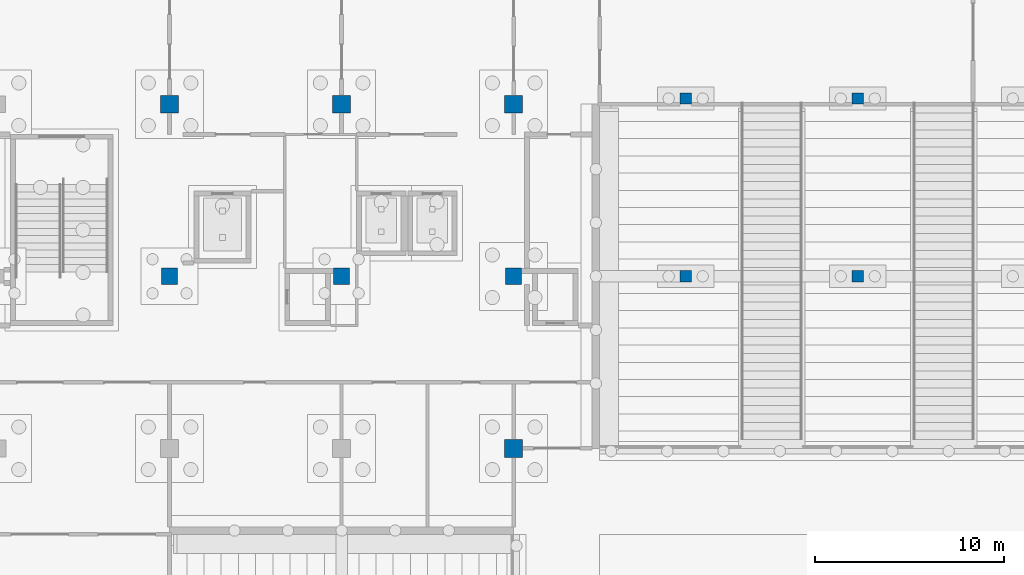
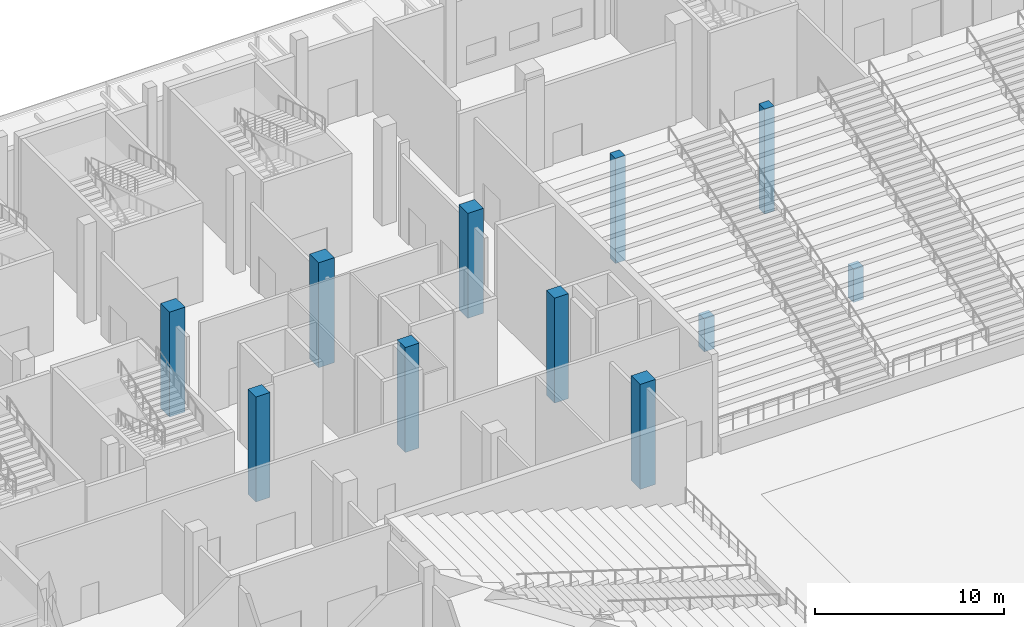
# One storey, part 25 of 129: 11 columns.
"""IFC4 building model written with IfcOpenShell, lengths in metres."""

from ifc_helpers import new_model, si_unit, direction, frame, origin, origin_2d, place, context, subcontext, project, spatial, rectangle, extrude, material, material_profile, profile_set, type_object, element, save


model = new_model("IFC4")

# Units and contexts
model_context = context("Model", 3, precision=1e-05, world=origin(), true_north=direction((0.0, 1.0)))
body_context = subcontext(model_context, "Body", "Model", "MODEL_VIEW")
ifc_project = project(units=[si_unit("LENGTHUNIT", "METRE"), si_unit("AREAUNIT", "SQUARE_METRE"), si_unit("VOLUMEUNIT", "CUBIC_METRE"), si_unit("PLANEANGLEUNIT", "RADIAN"), si_unit("MASSUNIT", "GRAM", prefix="KILO")], contexts=[model_context])

# Site, building, storey
site_placement = place(None, origin())
site = spatial("IfcSite", under=ifc_project, at=site_placement, CompositionType="ELEMENT")
building_placement = place(site_placement, origin())
building = spatial("IfcBuilding", under=site, at=building_placement, Name="Shirokan Park Arena", CompositionType="ELEMENT")
storey_placement = place(building_placement, origin())
storey = spatial("IfcBuildingStorey", under=building, at=storey_placement, Name="L00", CompositionType="ELEMENT", Elevation=0.0)

# Columns
ifc_material = material(Name="Concrete C35", Category="concrete")
ifc_material_profile_1 = material_profile(ifc_material, rectangle(XDim=0.60009765625, YDim=0.60009765625, at=origin_2d()), Name="600x600")
ifc_profile_set_1 = profile_set([ifc_material_profile_1], Name="Concrete C35")
column_type_1 = type_object("IfcColumnType", Name="RC column 600x600", PredefinedType="COLUMN", material=ifc_profile_set_1)
column_1_placement = place(storey_placement, frame((45.5, 81.89990234375, -0.39990234375), z_axis=(0.0, 0.0, 1.0), x_axis=(1.0, 0.0, 0.0)))
element("IfcColumn", 1, at=column_1_placement, inside=storey, type_object=column_type_1, Name="Column 6K L00", PredefinedType="COLUMN", context=body_context, shape_type="SweptSolid", body=[
    extrude(rectangle(XDim=0.60009765625, YDim=0.60009765625, at=origin_2d()), origin(), (0.0, 0.0, 1.0), 2.1328125),
])
column_2_placement = place(storey_placement, frame((45.5, 91.300048828125, -0.39990234375), z_axis=(0.0, 0.0, 1.0), x_axis=(1.0, 0.0, 0.0)))
element("IfcColumn", 2, at=column_2_placement, inside=storey, type_object=column_type_1, Name="Column 6L L00", PredefinedType="COLUMN", context=body_context, shape_type="SweptSolid", body=[
    extrude(rectangle(XDim=0.60009765625, YDim=0.60009765625, at=origin_2d()), origin(), (0.0, 0.0, 1.0), 6.77001953125),
])
column_3_placement = place(storey_placement, frame((54.60009765625, 81.89990234375, -0.39990234375), z_axis=(0.0, 0.0, 1.0), x_axis=(1.0, 0.0, 0.0)))
element("IfcColumn", 3, at=column_3_placement, inside=storey, type_object=column_type_1, Name="Column 7K L00", PredefinedType="COLUMN", context=body_context, shape_type="SweptSolid", body=[
    extrude(rectangle(XDim=0.60009765625, YDim=0.60009765625, at=origin_2d()), origin(), (0.0, 0.0, 1.0), 2.1328125),
])
column_4_placement = place(storey_placement, frame((54.60009765625, 91.300048828125, -0.39990234375), z_axis=(0.0, 0.0, 1.0), x_axis=(1.0, 0.0, 0.0)))
element("IfcColumn", 4, at=column_4_placement, inside=storey, type_object=column_type_1, Name="Column 7L L00", PredefinedType="COLUMN", context=body_context, shape_type="SweptSolid", body=[
    extrude(rectangle(XDim=0.60009765625, YDim=0.60009765625, at=origin_2d()), origin(), (0.0, 0.0, 1.0), 6.77001953125),
])
ifc_material_profile_2 = material_profile(ifc_material, rectangle(XDim=0.85009765625, YDim=0.85009765625, at=origin_2d()), Name="850x850")
ifc_profile_set_2 = profile_set([ifc_material_profile_2], Name="Concrete C35")
column_type_2 = type_object("IfcColumnType", Name="RC column 850x850", PredefinedType="COLUMN", material=ifc_profile_set_2)
for number, where, z_axis, x_axis, name in (
    (5, (18.199951171875, 81.89990234375, -0.39990234375), (0.0, 0.0, 1.0), (1.0, 0.0, 0.0), "Column 3K L00"),
    (6, (27.300048828125, 81.89990234375, -0.39990234375), (0.0, 0.0, 1.0), (1.0, 0.0, 0.0), "Column 4K L00"),
    (7, (36.39990234375, 81.89990234375, -0.39990234375), (0.0, 0.0, 1.0), (1.0, 0.0, 0.0), "Column 5K L00"),
):
    element("IfcColumn", number, at=place(storey_placement, frame(where, z_axis=z_axis, x_axis=x_axis)), inside=storey, type_object=column_type_2, Name=name, PredefinedType="COLUMN", context=body_context, shape_type="SweptSolid", body=[
        extrude(rectangle(XDim=0.85009765625, YDim=0.85009765625, at=origin_2d()), origin(), (0.0, 0.0, 1.0), 6.77001953125),
    ])
ifc_material_profile_3 = material_profile(ifc_material, rectangle(XDim=0.949951171875, YDim=0.949951171875, at=origin_2d()), Name="950x950")
ifc_profile_set_3 = profile_set([ifc_material_profile_3], Name="Concrete C35")
column_type_3 = type_object("IfcColumnType", Name="RC column 950x950", PredefinedType="COLUMN", material=ifc_profile_set_3)
for number, where, z_axis, x_axis, name in (
    (8, (18.199951171875, 91.0, -0.39990234375), (0.0, 0.0, 1.0), (1.0, 0.0, 0.0), "Column 3L L00"),
    (9, (27.300048828125, 91.0, -0.39990234375), (0.0, 0.0, 1.0), (1.0, 0.0, 0.0), "Column 4L L00"),
    (10, (36.39990234375, 72.800048828125, -0.39990234375), (0.0, 0.0, 1.0), (1.0, 0.0, 0.0), "Column 5J L00"),
    (11, (36.39990234375, 91.0, -0.39990234375), (0.0, 0.0, 1.0), (1.0, 0.0, 0.0), "Column 5L L00"),
):
    element("IfcColumn", number, at=place(storey_placement, frame(where, z_axis=z_axis, x_axis=x_axis)), inside=storey, type_object=column_type_3, Name=name, PredefinedType="COLUMN", context=body_context, shape_type="SweptSolid", body=[
        extrude(rectangle(XDim=0.949951171875, YDim=0.949951171875, at=origin_2d()), origin(), (0.0, 0.0, 1.0), 6.77001953125),
    ])

save(model, "model.ifc")
